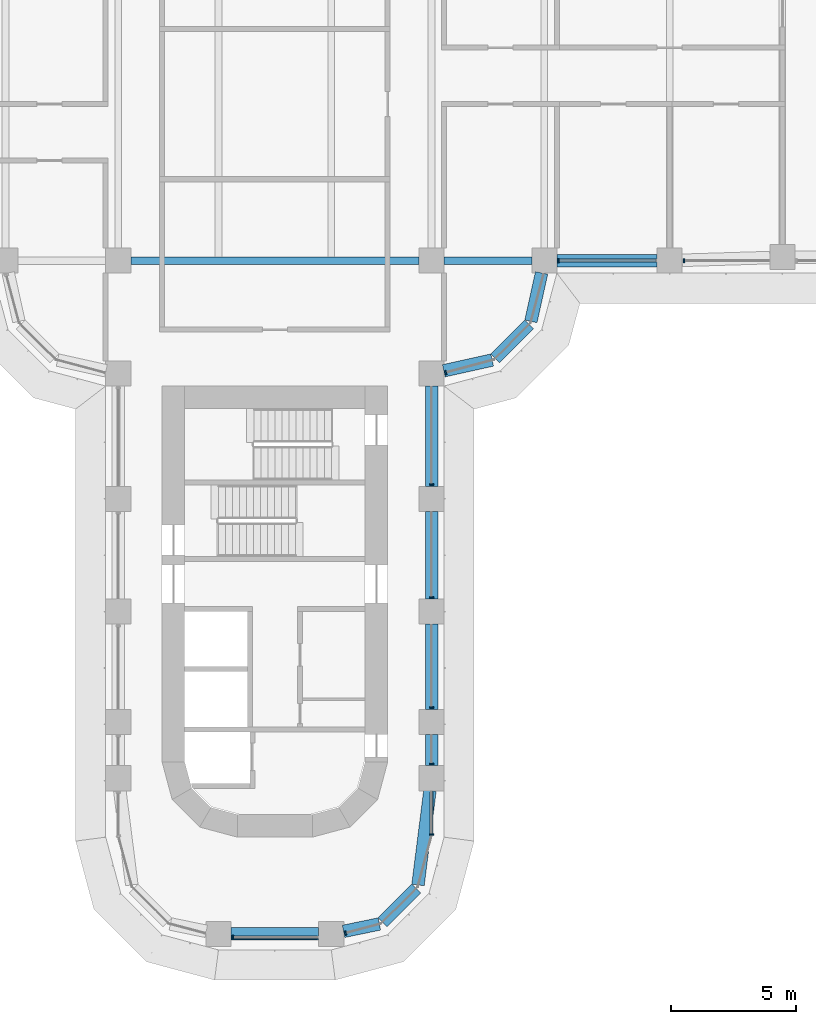
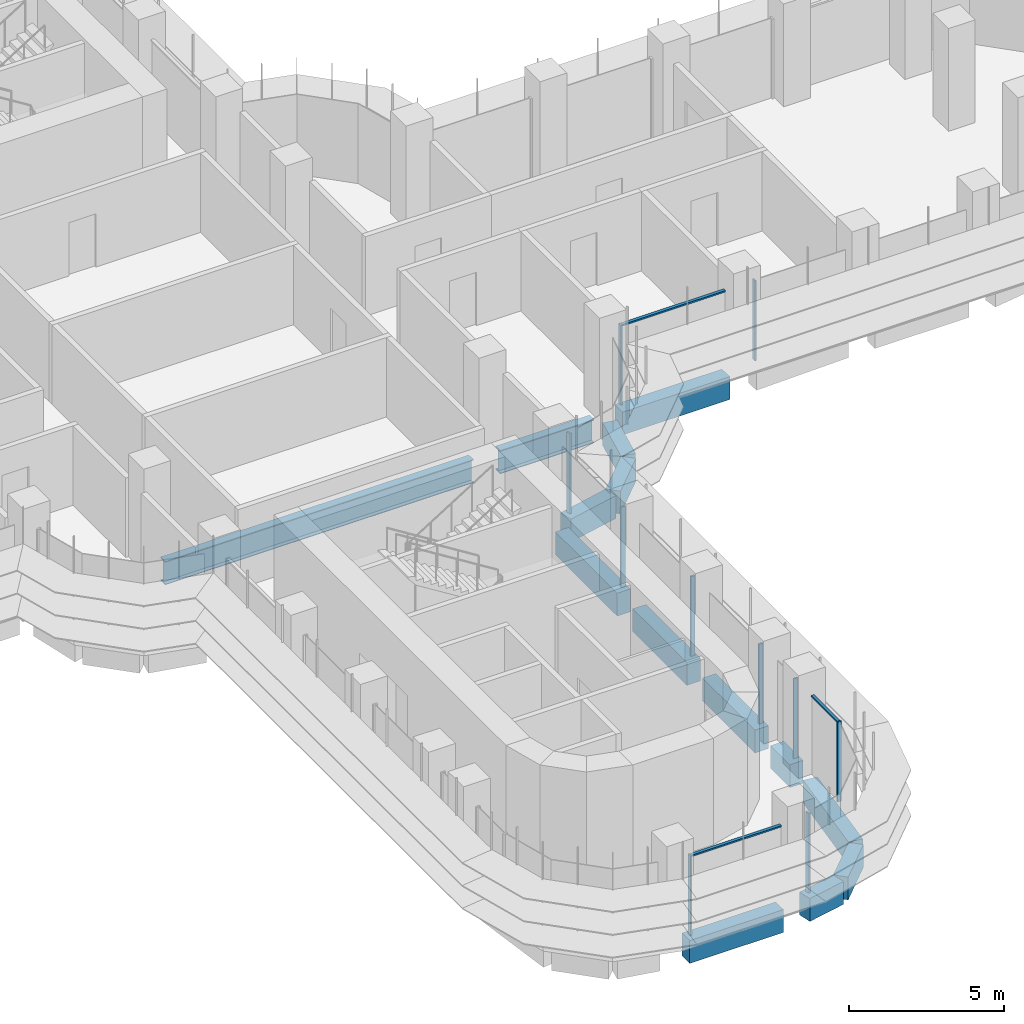
# One storey, part 4 of 23: 14 beams, 13 members, 5 elements without a shape of their own.
"""IFC4 building model written with IfcOpenShell, lengths in metres."""

from ifc_helpers import new_model, si_unit, direction, frame, origin, origin_2d, place, context, subcontext, project, spatial, polyline, rectangle, i_section, outline, extrude, source, transform, mapped, material, material_profile, profile_set, type_object, element, aggregate, save


model = new_model("IFC4")

# Units and contexts
model_context = context("Model", 3, precision=1e-05, world=origin(), true_north=direction((0.0, 1.0)))
body_context = subcontext(model_context, "Body", "Model", "MODEL_VIEW")
ifc_project = project(units=[si_unit("LENGTHUNIT", "METRE"), si_unit("AREAUNIT", "SQUARE_METRE"), si_unit("VOLUMEUNIT", "CUBIC_METRE"), si_unit("PLANEANGLEUNIT", "RADIAN"), si_unit("MASSUNIT", "GRAM", prefix="KILO")], contexts=[model_context])

# Site, building, storey
site_placement = place(None, origin())
site = spatial("IfcSite", under=ifc_project, at=site_placement, CompositionType="ELEMENT")
building_placement = place(site_placement, origin())
building = spatial("IfcBuilding", under=site, at=building_placement, Name="Zarbagh Exchange Tower", CompositionType="ELEMENT")
storey_placement = place(building_placement, frame((0.0, 0.0, 31.199951171875)))
storey = spatial("IfcBuildingStorey", under=building, at=storey_placement, Name="L06", CompositionType="ELEMENT", Elevation=31.199951171875)

# Beams
ifc_material_1 = material(Name="Steel ASTM A992 Gr 50", Category="steel")
ifc_material_profile_1 = material_profile(ifc_material_1, i_section(OverallWidth=0.3046875, OverallDepth=0.91943359375, WebThickness=0.017333984375, FlangeThickness=0.02783203125, at=origin_2d()), Name="W36X170")
ifc_profile_set_1 = profile_set([ifc_material_profile_1], Name="Steel ASTM A992 Gr 50")
beam_type_1 = type_object("IfcBeamType", Name="Floor girder W36X170", PredefinedType="BEAM", material=ifc_profile_set_1)
beam_1_placement = place(storey_placement, frame((-5.75, -6.25, -0.609619140625), z_axis=(1.0, 0.0, 0.0), x_axis=(0.0, 1.0, 0.0)))
element("IfcBeam", 1, at=beam_1_placement, inside=storey, type_object=beam_type_1, Name="Steel girder", PredefinedType="BEAM", context=body_context, shape_type="SweptSolid", body=[
    extrude(i_section(OverallWidth=0.3046875, OverallDepth=0.91943359375, WebThickness=0.017333984375, FlangeThickness=0.02783203125, at=origin_2d()), origin(), (0.0, 0.0, 1.0), 11.5),
])
beam_2_placement = place(storey_placement, frame((6.75, -6.25, -0.609619140625), z_axis=(1.0, 0.0, 0.0), x_axis=(0.0, 1.0, 0.0)))
element("IfcBeam", 2, at=beam_2_placement, inside=storey, type_object=beam_type_1, Name="Steel girder", PredefinedType="BEAM", context=body_context, shape_type="SweptSolid", body=[
    extrude(i_section(OverallWidth=0.3046875, OverallDepth=0.91943359375, WebThickness=0.017333984375, FlangeThickness=0.02783203125, at=origin_2d()), origin(), (0.0, 0.0, 1.0), 3.5),
])
ifc_material_2 = material(Name="Concrete C60/75", Category="concrete")
ifc_material_profile_2 = material_profile(ifc_material_2, rectangle(XDim=0.5, YDim=0.89990234375, at=origin_2d()), Name="RC spandrel beam 500 x 900 C60/75")
ifc_profile_set_2 = profile_set([ifc_material_profile_2], Name="Concrete C60/75")
beam_type_2 = type_object("IfcBeamType", Name="RC spandrel beam 500 x 900 C60/75", PredefinedType="SPANDREL", material=ifc_profile_set_2)
beam_3_placement = place(storey_placement, frame((15.25, -6.25, -0.599853515625), z_axis=(-1.0, 0.0, 0.0), x_axis=(0.0, -1.0, 0.0)))
element("IfcBeam", 3, at=beam_3_placement, inside=storey, type_object=beam_type_2, Name="RC spandrel beam", PredefinedType="SPANDREL", context=body_context, shape_type="SweptSolid", body=[
    extrude(rectangle(XDim=0.5, YDim=0.89990234375, at=origin_2d()), origin(), (0.0, 0.0, 1.0), 4.0),
])
beam_4_placement = place(storey_placement, frame((10.64208984375, -6.73828125, -0.599853515625), z_axis=(-0.216081063242, -0.976375426825, 0.0), x_axis=(0.976375426825, -0.216081063242, 0.0)))
element("IfcBeam", 4, at=beam_4_placement, inside=storey, type_object=beam_type_2, Name="RC spandrel beam", PredefinedType="SPANDREL", context=body_context, shape_type="SweptSolid", body=[
    extrude(rectangle(XDim=0.5, YDim=0.89990234375, at=origin_2d()), origin(), (0.0, 0.0, 1.0), 1.978271484375),
])
beam_5_placement = place(storey_placement, frame((10.147216796875, -8.792724609375, -0.599853515625), z_axis=(-0.707106781187, -0.707106781187, 0.0), x_axis=(0.707106781187, -0.707106781187, 0.0)))
element("IfcBeam", 5, at=beam_5_placement, inside=storey, type_object=beam_type_2, Name="RC spandrel beam", PredefinedType="SPANDREL", context=body_context, shape_type="SweptSolid", body=[
    extrude(rectangle(XDim=0.5, YDim=0.89990234375, at=origin_2d()), origin(), (0.0, 0.0, 1.0), 1.91552734375),
])
beam_6_placement = place(storey_placement, frame((8.669921875, -10.214599609375, -0.599853515625), z_axis=(-0.976375426825, -0.216081063242, 0.0), x_axis=(0.216081063242, -0.976375426825, 0.0)))
element("IfcBeam", 6, at=beam_6_placement, inside=storey, type_object=beam_type_2, Name="RC spandrel beam", PredefinedType="SPANDREL", context=body_context, shape_type="SweptSolid", body=[
    extrude(rectangle(XDim=0.5, YDim=0.89990234375, at=origin_2d()), origin(), (0.0, 0.0, 1.0), 1.978271484375),
])
beam_7_placement = place(storey_placement, frame((6.25, -11.25, -0.599853515625), z_axis=(0.0, -1.0, 0.0), x_axis=(1.0, 0.0, 0.0)))
element("IfcBeam", 7, at=beam_7_placement, inside=storey, type_object=beam_type_2, Name="RC spandrel beam", PredefinedType="SPANDREL", context=body_context, shape_type="SweptSolid", body=[
    extrude(rectangle(XDim=0.5, YDim=0.89990234375, at=origin_2d()), origin(), (0.0, 0.0, 1.0), 4.0),
])
beam_8_placement = place(storey_placement, frame((6.25, -16.25, -0.599853515625), z_axis=(0.0, -1.0, 0.0), x_axis=(1.0, 0.0, 0.0)))
element("IfcBeam", 8, at=beam_8_placement, inside=storey, type_object=beam_type_2, Name="RC spandrel beam", PredefinedType="SPANDREL", context=body_context, shape_type="SweptSolid", body=[
    extrude(rectangle(XDim=0.5, YDim=0.89990234375, at=origin_2d()), origin(), (0.0, 0.0, 1.0), 3.5),
])
beam_9_placement = place(storey_placement, frame((6.25, -20.75, -0.599853515625), z_axis=(0.0, -1.0, 0.0), x_axis=(1.0, 0.0, 0.0)))
element("IfcBeam", 9, at=beam_9_placement, inside=storey, type_object=beam_type_2, Name="RC spandrel beam", PredefinedType="SPANDREL", context=body_context, shape_type="SweptSolid", body=[
    extrude(rectangle(XDim=0.5, YDim=0.89990234375, at=origin_2d()), origin(), (0.0, 0.0, 1.0), 3.39990234375),
])
beam_10_placement = place(storey_placement, frame((6.25, -25.14990234375, -0.599853515625), z_axis=(0.0, -1.0, 0.0), x_axis=(1.0, 0.0, 0.0)))
element("IfcBeam", 10, at=beam_10_placement, inside=storey, type_object=beam_type_2, Name="RC spandrel beam", PredefinedType="SPANDREL", context=body_context, shape_type="SweptSolid", body=[
    extrude(rectangle(XDim=0.5, YDim=0.89990234375, at=origin_2d()), origin(), (0.0, 0.0, 1.0), 1.25),
])
beam_11_placement = place(storey_placement, frame((6.18701171875, -27.39599609375, -0.599853515625), z_axis=(-0.12591317752, -0.992041265133, 0.0), x_axis=(0.992041265133, -0.12591317752, 0.0)))
element("IfcBeam", 11, at=beam_11_placement, inside=storey, type_object=beam_type_2, Name="RC spandrel beam", PredefinedType="SPANDREL", context=body_context, shape_type="SweptSolid", body=[
    extrude(rectangle(XDim=0.5, YDim=0.89990234375, at=origin_2d()), origin(), (0.0, 0.0, 1.0), 3.790771484375),
])
beam_12_placement = place(storey_placement, frame((5.638427734375, -31.301513671875, -0.599853515625), z_axis=(-0.707042571718, -0.707170984825, 0.0), x_axis=(0.707170984825, -0.707042571718, 0.0)))
element("IfcBeam", 12, at=beam_12_placement, inside=storey, type_object=beam_type_2, Name="RC spandrel beam", PredefinedType="SPANDREL", context=body_context, shape_type="SweptSolid", body=[
    extrude(rectangle(XDim=0.5, YDim=0.89990234375, at=origin_2d()), origin(), (0.0, 0.0, 1.0), 1.901123046875),
])
beam_13_placement = place(storey_placement, frame((4.16796875, -32.714111328125, -0.599853515625), z_axis=(-0.9793713725, -0.202068589164, 0.0), x_axis=(0.202068589164, -0.9793713725, 0.0)))
element("IfcBeam", 13, at=beam_13_placement, inside=storey, type_object=beam_type_2, Name="RC spandrel beam", PredefinedType="SPANDREL", context=body_context, shape_type="SweptSolid", body=[
    extrude(rectangle(XDim=0.5, YDim=0.89990234375, at=origin_2d()), origin(), (0.0, 0.0, 1.0), 1.458251953125),
])
beam_14_placement = place(storey_placement, frame((1.75, -33.110107421875, -0.599853515625), z_axis=(-1.0, 0.0, 0.0), x_axis=(0.0, -1.0, 0.0)))
element("IfcBeam", 14, at=beam_14_placement, inside=storey, type_object=beam_type_2, Name="RC spandrel beam", PredefinedType="SPANDREL", context=body_context, shape_type="SweptSolid", body=[
    extrude(rectangle(XDim=0.5, YDim=0.89990234375, at=origin_2d()), origin(), (0.0, 0.0, 1.0), 3.5),
])

# Curtain wall, member
ifc_material_3 = material(Name="Anodised aluminium frame and glazing", Category="aluminium")
curtain_wall_type = type_object("IfcCurtainWallType", Name="CWA Ribbon glazing, lower zones", PredefinedType="NOTDEFINED", material=ifc_material_3)
curtain_wall_1_placement = place(storey_placement, origin())
curtain_wall_1 = element("IfcCurtainWall", 15, at=curtain_wall_1_placement, inside=storey, type_object=curtain_wall_type, Name="CWA01 curtain wall", PredefinedType="NOTDEFINED")
ifc_material_4 = material(Name="Anodised aluminium frame", Category="aluminium")
member_type_1 = type_object("IfcMemberType", Name="MUA Mullion, anodised aluminium frame", PredefinedType="MULLION", material=ifc_material_4)
shared_shape_1 = source(origin(), body_context, "Body", "SweptSolid", [
    extrude(outline(polyline([(0.0, -0.080078125), (0.06005859375, -0.080078125), (0.06005859375, 0.080078125), (0.0, 0.080078125), (0.0, -0.080078125)])), origin(), (0.0, 0.0, 1.0), 3.14990234375),
])
placement = place(storey_placement, origin())
member_1 = element("IfcMember", 16, at=placement, type_object=member_type_1, Name="CWA01 mullion 1.1", PredefinedType="MULLION", context=body_context, shape_type="MappedRepresentation", body=[
    mapped(shared_shape_1, transform((2.7900390625, -33.087646484375, 0.0), x_axis=(0.965924289636, 0.258824779902, 0.0), y_axis=(-0.258824779902, 0.965924289636, 0.0), z_axis=(0.0, 0.0, 1.0))),
])
aggregate(curtain_wall_1, [member_1])

# Curtain wall, members
curtain_wall_2_placement = place(storey_placement, origin())
curtain_wall_2 = element("IfcCurtainWall", 17, at=curtain_wall_2_placement, inside=storey, type_object=curtain_wall_type, Name="CWA04 curtain wall", PredefinedType="NOTDEFINED")
member_2 = element("IfcMember", 18, at=placement, type_object=member_type_1, Name="CWA04 mullion 1.1", PredefinedType="MULLION", context=body_context, shape_type="MappedRepresentation", body=[
    mapped(shared_shape_1, transform((6.25, -29.18408203125, 0.0), x_axis=(0.0, 1.0, 0.0), y_axis=(-1.0, 0.0, 0.0), z_axis=(0.0, 0.0, 1.0))),
])
member_3 = element("IfcMember", 19, at=placement, type_object=member_type_1, Name="CWA04 mullion 2.1", PredefinedType="MULLION", context=body_context, shape_type="MappedRepresentation", body=[
    mapped(shared_shape_1, transform((6.25, -26.35986328125, 0.0), x_axis=(0.0, 1.0, 0.0), y_axis=(-1.0, 0.0, 0.0), z_axis=(0.0, 0.0, 1.0))),
])
member_4 = element("IfcMember", 20, at=placement, type_object=member_type_1, Name="CWA04 mullion 3.1", PredefinedType="MULLION", context=body_context, shape_type="MappedRepresentation", body=[
    mapped(shared_shape_1, transform((6.25, -24.10986328125, 0.0), x_axis=(0.0, 1.0, 0.0), y_axis=(-1.0, 0.0, 0.0), z_axis=(0.0, 0.0, 1.0))),
])
member_5 = element("IfcMember", 21, at=placement, type_object=member_type_1, Name="CWA04 mullion 4.1", PredefinedType="MULLION", context=body_context, shape_type="MappedRepresentation", body=[
    mapped(shared_shape_1, transform((6.25, -19.7099609375, 0.0), x_axis=(0.0, 1.0, 0.0), y_axis=(-1.0, 0.0, 0.0), z_axis=(0.0, 0.0, 1.0))),
])
member_6 = element("IfcMember", 22, at=placement, type_object=member_type_1, Name="CWA04 mullion 5.1", PredefinedType="MULLION", context=body_context, shape_type="MappedRepresentation", body=[
    mapped(shared_shape_1, transform((6.25, -15.2099609375, 0.0), x_axis=(0.0, 1.0, 0.0), y_axis=(-1.0, 0.0, 0.0), z_axis=(0.0, 0.0, 1.0))),
])

# Curtain wall, member
curtain_wall_3_placement = place(storey_placement, origin())
curtain_wall_3 = element("IfcCurtainWall", 23, at=curtain_wall_3_placement, inside=storey, type_object=curtain_wall_type, Name="CWA05 curtain wall", PredefinedType="NOTDEFINED")
member_7 = element("IfcMember", 24, at=placement, type_object=member_type_1, Name="CWA05 mullion 1.1", PredefinedType="MULLION", context=body_context, shape_type="MappedRepresentation", body=[
    mapped(shared_shape_1, transform((6.7900390625, -10.7216796875, 0.0), x_axis=(0.965924289636, 0.258824779902, 0.0), y_axis=(-0.258824779902, 0.965924289636, 0.0), z_axis=(0.0, 0.0, 1.0))),
])
aggregate(curtain_wall_3, [member_7])

# Curtain wall, members
curtain_wall_4_placement = place(storey_placement, origin())
curtain_wall_4 = element("IfcCurtainWall", 25, at=curtain_wall_4_placement, inside=storey, type_object=curtain_wall_type, Name="CWA08 curtain wall", PredefinedType="NOTDEFINED")
member_8 = element("IfcMember", 26, at=placement, type_object=member_type_1, Name="CWA08 mullion 1.1", PredefinedType="MULLION", context=body_context, shape_type="MappedRepresentation", body=[
    mapped(shared_shape_1, transform((11.2900390625, -6.25, 0.0), x_axis=(1.0, 0.0, 0.0), y_axis=(0.0, 1.0, 0.0), z_axis=(0.0, 0.0, 1.0))),
])
member_9 = element("IfcMember", 27, at=placement, type_object=member_type_1, Name="CWA08 mullion 2.1", PredefinedType="MULLION", context=body_context, shape_type="MappedRepresentation", body=[
    mapped(shared_shape_1, transform((16.2900390625, -6.25, 0.0), x_axis=(1.0, 0.0, 0.0), y_axis=(0.0, 1.0, 0.0), z_axis=(0.0, 0.0, 1.0))),
])

# Curtain wall, member
curtain_wall_5_placement = place(storey_placement, origin())
curtain_wall_5 = element("IfcCurtainWall", 28, at=curtain_wall_5_placement, inside=storey, type_object=curtain_wall_type, Name="CWA48 curtain wall", PredefinedType="NOTDEFINED")
member_10 = element("IfcMember", 29, at=placement, type_object=member_type_1, Name="CWA48 mullion 1.1", PredefinedType="MULLION", context=body_context, shape_type="MappedRepresentation", body=[
    mapped(shared_shape_1, transform((-1.7099609375, -33.25, 0.0), x_axis=(1.0, 0.0, 0.0), y_axis=(0.0, 1.0, 0.0), z_axis=(0.0, 0.0, 1.0))),
])

# Member
member_type_2 = type_object("IfcMemberType", Name="TRA Transom, anodised aluminium frame", PredefinedType="USERDEFINED", material=ifc_material_4)
shared_shape_2 = source(origin(), body_context, "Body", "SweptSolid", [
    extrude(outline(polyline([(-0.06005859375, -0.06005859375), (0.0, -0.06005859375), (0.0, 0.06005859375), (-0.06005859375, 0.06005859375), (-0.06005859375, -0.06005859375)])), origin(), (0.0, 0.0, 1.0), 1.68408203125),
])
member_11 = element("IfcMember", 30, at=placement, type_object=member_type_2, Name="CWA04 transom 1.1", ObjectType="TRANSOM", PredefinedType="USERDEFINED", context=body_context, shape_type="MappedRepresentation", body=[
    mapped(shared_shape_2, transform((6.25, -29.124267578125, 3.150146484375), x_axis=(0.0, 0.0, 1.0), y_axis=(1.0, 0.0, 0.0), z_axis=(0.0, 1.0, 0.0))),
])

aggregate(curtain_wall_2, [member_2, member_11, member_3, member_4, member_5, member_6])

shared_shape_3 = source(origin(), body_context, "Body", "SweptSolid", [
    extrude(outline(polyline([(-0.06005859375, -0.06005859375), (0.0, -0.06005859375), (0.0, 0.06005859375), (-0.06005859375, 0.06005859375), (-0.06005859375, -0.06005859375)])), origin(), (0.0, 0.0, 1.0), 3.860107421875),
])
member_12 = element("IfcMember", 31, at=placement, type_object=member_type_2, Name="CWA08 transom 1.1", ObjectType="TRANSOM", PredefinedType="USERDEFINED", context=body_context, shape_type="MappedRepresentation", body=[
    mapped(shared_shape_3, transform((11.35009765625, -6.25, 3.150146484375), x_axis=(0.0, 0.0, 1.0), y_axis=(0.0, -1.0, 0.0), z_axis=(1.0, 0.0, 0.0))),
])

aggregate(curtain_wall_4, [member_8, member_12, member_9])

shared_shape_4 = source(origin(), body_context, "Body", "SweptSolid", [
    extrude(outline(polyline([(-0.06005859375, -0.06005859375), (0.0, -0.06005859375), (0.0, 0.06005859375), (-0.06005859375, 0.06005859375), (-0.06005859375, -0.06005859375)])), origin(), (0.0, 0.0, 1.0), 3.360107421875),
])
member_13 = element("IfcMember", 32, at=placement, type_object=member_type_2, Name="CWA48 transom 1.1", ObjectType="TRANSOM", PredefinedType="USERDEFINED", context=body_context, shape_type="MappedRepresentation", body=[
    mapped(shared_shape_4, transform((-1.64990234375, -33.25, 3.150146484375), x_axis=(0.0, 0.0, 1.0), y_axis=(0.0, -1.0, 0.0), z_axis=(1.0, 0.0, 0.0))),
])

aggregate(curtain_wall_5, [member_10, member_13])

save(model, "model.ifc")
